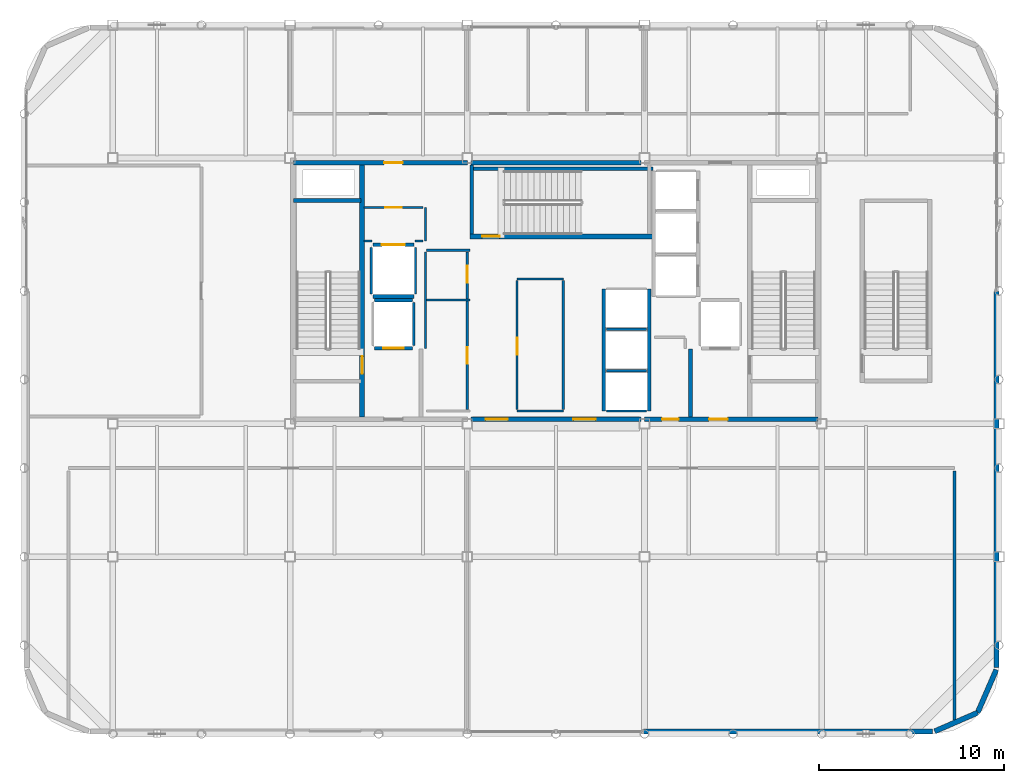
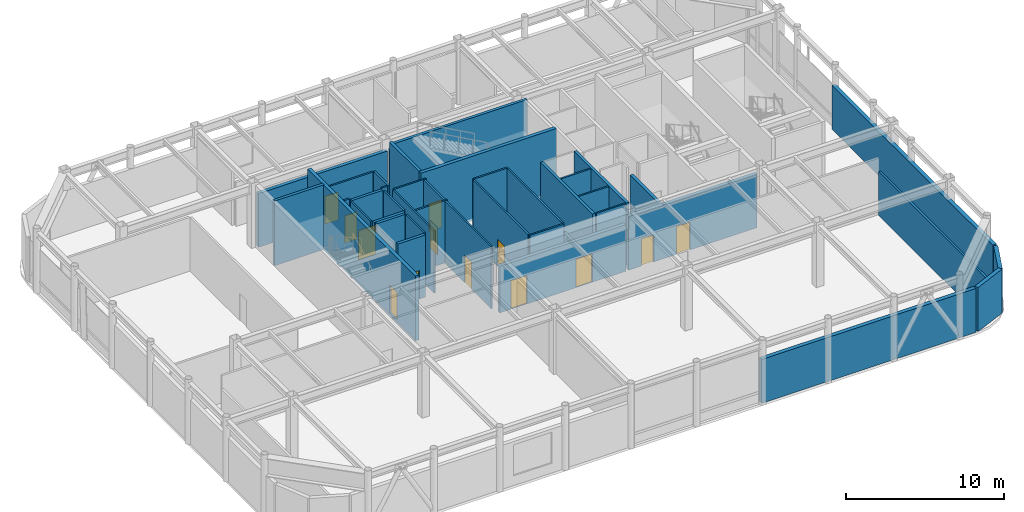
# One storey, part 17 of 21: 39 walls, 13 doors, 13 openings.
"""IFC4 building model written with IfcOpenShell, lengths in metres."""

from ifc_helpers import new_model, si_unit, direction, frame, frame_2d, origin, place, context, subcontext, project, spatial, rectangle, extrude, material, layer, layer_set, type_object, element, fill, save


model = new_model("IFC4")

# Units and contexts
model_context = context("Model", 3, precision=1e-05, world=origin(), true_north=direction((0.0, 1.0)))
body_context = subcontext(model_context, "Body", "Model", "MODEL_VIEW")
ifc_project = project(units=[si_unit("LENGTHUNIT", "METRE"), si_unit("AREAUNIT", "SQUARE_METRE"), si_unit("VOLUMEUNIT", "CUBIC_METRE"), si_unit("PLANEANGLEUNIT", "RADIAN"), si_unit("MASSUNIT", "GRAM", prefix="KILO")], contexts=[model_context])

# Site, building, storey
site_placement = place(None, origin())
site = spatial("IfcSite", under=ifc_project, at=site_placement, CompositionType="ELEMENT")
building_placement = place(site_placement, origin())
building = spatial("IfcBuilding", under=site, at=building_placement, Name="Kallvorn Hotel Tower", CompositionType="ELEMENT")
storey_placement = place(building_placement, frame((0.0, 0.0, 290.60009765625)))
storey = spatial("IfcBuildingStorey", under=building, at=storey_placement, Name="L72", CompositionType="ELEMENT", Elevation=290.60009765625)

# Walls
ifc_material_1 = material(Name="Precast basalt-clad insulated concrete wall C40/50", Category="masonry")
ifc_layer_1 = layer(ifc_material_1, 0.280029296875)
ifc_layer_set_1 = layer_set([ifc_layer_1], Name="WL_EXT_LOGGIA_280")
wall_type_1 = type_object("IfcWallType", Name="WL_EXT_LOGGIA_280", PredefinedType="SOLIDWALL", material=ifc_layer_set_1)
for number, where, z_axis, x_axis, name in (
    (1, (20.520751953125, -23.85791015625, 0.0), (0.0, 0.0, 1.0), (0.917076177656, 0.398712031894, 0.0), "L72 Rounded Corner Exterior Wall SE1"),
    (2, (22.8466796875, -22.8466796875, 0.0), (0.0, 0.0, 1.0), (0.398712031894, 0.917076177656, 0.0), "L72 Rounded Corner Exterior Wall SE2"),
):
    element("IfcWall", number, at=place(storey_placement, frame(where, z_axis=z_axis, x_axis=x_axis)), inside=storey, type_object=wall_type_1, Name=name, PredefinedType="SOLIDWALL", context=body_context, shape_type="SweptSolid", body=[
        extrude(rectangle(XDim=2.5361328125, YDim=0.280029296875, at=frame_2d((1.26806640625, 0.0))), origin(), (0.0, 0.0, 1.0), 3.39990234375),
    ])
wall_1_placement = place(storey_placement, frame((4.75, -23.860107421875, 0.0), z_axis=(0.0, 0.0, 1.0), x_axis=(1.0, 0.0, 0.0)))
element("IfcWall", 3, at=wall_1_placement, inside=storey, type_object=wall_type_1, Name="L72 Exterior Envelope Wall EW-L72-SE", PredefinedType="SOLIDWALL", context=body_context, shape_type="SweptSolid", body=[
    extrude(rectangle(XDim=15.64990234375, YDim=0.280029296875, at=frame_2d((7.824951171875, 0.0))), origin(), (0.0, 0.0, 1.0), 3.39990234375),
])
wall_2_placement = place(storey_placement, frame((23.860107421875, -20.39990234375, 0.0), z_axis=(0.0, 0.0, 1.0), x_axis=(0.0, 1.0, 0.0)))
element("IfcWall", 4, at=wall_2_placement, inside=storey, type_object=wall_type_1, Name="L72 Exterior Envelope Wall EW-L72-ES", PredefinedType="SOLIDWALL", context=body_context, shape_type="SweptSolid", body=[
    extrude(rectangle(XDim=20.3798828125, YDim=0.280029296875, at=frame_2d((10.18994140625, 0.0))), origin(), (0.0, 0.0, 1.0), 3.39990234375),
])
ifc_material_2 = material(Name="Concrete C40/50", Category="concrete")
ifc_layer_2 = layer(ifc_material_2, 0.219970703125)
ifc_layer_set_2 = layer_set([ifc_layer_2], Name="WL_FFL_220")
wall_type_2 = type_object("IfcWallType", Name="WL_FFL_220", PredefinedType="SOLIDWALL", material=ifc_layer_set_2)
wall_3_placement = place(storey_placement, frame((7.300048828125, -6.820068359375, 0.0), z_axis=(0.0, 0.0, 1.0), x_axis=(0.0, 1.0, 0.0)))
element("IfcWall", 5, at=wall_3_placement, inside=storey, type_object=wall_type_2, Name="L72 Firefighting Lobby East Divider Wall", PredefinedType="SOLIDWALL", context=body_context, shape_type="SweptSolid", body=[
    extrude(rectangle(XDim=3.670166015625, YDim=0.219970703125, at=frame_2d((1.8349609375, 0.0))), origin(), (0.0, 0.0, 1.0), 4.14990234375),
])
ifc_material_3 = material(Name="Concrete C40/50", Category="concrete")
ifc_layer_3 = layer(ifc_material_3, 0.199951171875)
ifc_layer_set_3 = layer_set([ifc_layer_3], Name="WL_HOIST_200")
wall_type_3 = type_object("IfcWallType", Name="WL_HOIST_200", PredefinedType="SOLIDWALL", material=ifc_layer_set_3)
wall_4_placement = place(storey_placement, frame((-14.199951171875, 4.89990234375, -0.2001953125), z_axis=(0.0, 0.0, 1.0), x_axis=(1.0, 0.0, 0.0)))
element("IfcWall", 6, at=wall_4_placement, inside=storey, type_object=wall_type_3, Name="L72 Stair ST1 North Wall", PredefinedType="SOLIDWALL", context=body_context, shape_type="SweptSolid", body=[
    extrude(rectangle(XDim=3.64990234375, YDim=0.199951171875, at=frame_2d((1.824951171875, 0.0))), origin(), (0.0, 0.0, 1.0), 5.0),
])
wall_5_placement = place(storey_placement, frame((-4.64990234375, 6.610107421875, -0.2001953125), z_axis=(0.0, 0.0, 1.0), x_axis=(1.0, 0.0, 0.0)))
element("IfcWall", 7, at=wall_5_placement, inside=storey, type_object=wall_type_3, Name="L72 Stair ST3 Shaft North Wall", PredefinedType="SOLIDWALL", context=body_context, shape_type="SweptSolid", body=[
    extrude(rectangle(XDim=9.89990234375, YDim=0.199951171875, at=frame_2d((4.949951171875, 0.0))), origin(), (0.0, 0.0, 1.0), 5.0),
])
wall_6_placement = place(storey_placement, frame((-4.550048828125, 3.080078125, -0.2001953125), z_axis=(0.0, 0.0, 1.0), x_axis=(0.0, 1.0, 0.0)))
element("IfcWall", 8, at=wall_6_placement, inside=storey, type_object=wall_type_3, Name="L72 Stair ST3 West Wall", PredefinedType="SOLIDWALL", context=body_context, shape_type="SweptSolid", body=[
    extrude(rectangle(XDim=3.739990234375, YDim=0.199951171875, at=frame_2d((1.8701171875, 0.0))), origin(), (0.0, 0.0, 1.0), 5.0),
])
for number, where, z_axis, x_axis, name in (
    (9, (2.60009765625, -6.5, 0.0), (0.0, 0.0, 1.0), (0.0, 1.0, 0.0), "L72 Lift Bank B3A Landing Wall"),
    (10, (5.050048828125, -6.5, 0.0), (0.0, 0.0, 1.0), (0.0, 1.0, 0.0), "L72 Lift Bank B3A Rear Shaft Wall"),
):
    element("IfcWall", number, at=place(storey_placement, frame(where, z_axis=z_axis, x_axis=x_axis)), inside=storey, type_object=wall_type_3, Name=name, PredefinedType="SOLIDWALL", context=body_context, shape_type="SweptSolid", body=[
        extrude(rectangle(XDim=6.60009765625, YDim=0.199951171875, at=frame_2d((3.300048828125, 0.0))), origin(), (0.0, 0.0, 1.0), 4.7998046875),
    ])

# Wall, opening, door
wall_7_placement = place(storey_placement, frame((-9.820068359375, -3.10009765625, 0.0), z_axis=(0.0, 0.0, 1.0), x_axis=(1.0, 0.0, 0.0)))
wall_7 = element("IfcWall", 11, at=wall_7_placement, inside=storey, type_object=wall_type_3, Name="L72 FL-1 Landing Wall", PredefinedType="SOLIDWALL", context=body_context, shape_type="SweptSolid", body=[
    extrude(rectangle(XDim=2.0400390625, YDim=0.199951171875, at=frame_2d((1.02001953125, 0.0))), origin(), (0.0, 0.0, 1.0), 4.7998046875),
])
opening_1_placement = place(wall_7_placement, frame((0.469970703125, 0.0, 0.0)))
opening_1 = element("IfcOpeningElement", 12, at=opening_1_placement, cuts=wall_7, Name="Opening LD-FL-1", PredefinedType="OPENING", context=body_context, shape_type="SweptSolid", body=[
    extrude(rectangle(XDim=1.10009765625, YDim=2.199951171875, at=frame_2d((0.550048828125, 1.10009765625))), frame((0.0, 0.114990234375, 0.0), z_axis=(0.0, -1.0, 0.0), x_axis=(1.0, 0.0, 0.0)), (0.0, 0.0, 1.0), 0.22998046875),
])
ifc_material_4 = material(Name="Brushed stainless-steel automatic sliding lift landing door", Category="steel")
door_type_1 = type_object("IfcDoorType", Name="LD_PASS_1100x2200", OperationType="SLIDING_TO_LEFT", PredefinedType="DOOR", material=ifc_material_4)
door_1_placement = place(opening_1_placement, origin())
door_1 = element("IfcDoor", 13, at=door_1_placement, inside=storey, type_object=door_type_1, Name="L72 Lift Landing Sliding Door LD-FL-1", OperationType="SLIDING_TO_LEFT", OverallHeight=2.199951171875, OverallWidth=1.10009765625, PredefinedType="DOOR", context=body_context, shape_type="SweptSolid", body=[
    extrude(rectangle(XDim=1.10009765625, YDim=2.199951171875, at=frame_2d((0.550048828125, 1.10009765625))), frame((0.0, 0.02490234375, 0.0), z_axis=(0.0, -1.0, 0.0), x_axis=(1.0, 0.0, 0.0)), (0.0, 0.0, 1.0), 0.050048828125),
])
fill(opening_1, door_1)

# Wall
wall_8_placement = place(storey_placement, frame((-9.820068359375, -0.5, 0.0), z_axis=(0.0, 0.0, 1.0), x_axis=(1.0, 0.0, 0.0)))
element("IfcWall", 14, at=wall_8_placement, inside=storey, type_object=wall_type_3, Name="L72 FL-1 Rear Shaft Wall", PredefinedType="SOLIDWALL", context=body_context, shape_type="SweptSolid", body=[
    extrude(rectangle(XDim=2.0400390625, YDim=0.199951171875, at=frame_2d((1.02001953125, 0.0))), origin(), (0.0, 0.0, 1.0), 4.7998046875),
])

# Wall, opening, door
wall_9_placement = place(storey_placement, frame((-9.919921875, 2.5, 0.0), z_axis=(0.0, 0.0, 1.0), x_axis=(1.0, 0.0, 0.0)))
wall_9 = element("IfcWall", 15, at=wall_9_placement, inside=storey, type_object=wall_type_3, Name="L72 SV-01 Landing Wall", PredefinedType="SOLIDWALL", context=body_context, shape_type="SweptSolid", body=[
    extrude(rectangle(XDim=2.239990234375, YDim=0.199951171875, at=frame_2d((1.1201171875, 0.0))), origin(), (0.0, 0.0, 1.0), 4.7998046875),
])
opening_2_placement = place(wall_9_placement, frame((0.4951171875, 0.0, 0.0)))
opening_2 = element("IfcOpeningElement", 16, at=opening_2_placement, cuts=wall_9, Name="Opening LD-SV-01", PredefinedType="OPENING", context=body_context, shape_type="SweptSolid", body=[
    extrude(rectangle(XDim=1.25, YDim=2.25, at=frame_2d((0.625, 1.125))), frame((0.0, 0.114990234375, 0.0), z_axis=(0.0, -1.0, 0.0), x_axis=(1.0, 0.0, 0.0)), (0.0, 0.0, 1.0), 0.22998046875),
])
ifc_material_5 = material(Name="Brushed stainless-steel automatic sliding lift landing door", Category="steel")
door_type_2 = type_object("IfcDoorType", Name="LD_SERV_1250x2250", OperationType="SLIDING_TO_LEFT", PredefinedType="DOOR", material=ifc_material_5)
door_2_placement = place(opening_2_placement, origin())
door_2 = element("IfcDoor", 17, at=door_2_placement, inside=storey, type_object=door_type_2, Name="L72 Lift Landing Sliding Door LD-SV-01", OperationType="SLIDING_TO_LEFT", OverallHeight=2.25, OverallWidth=1.25, PredefinedType="DOOR", context=body_context, shape_type="SweptSolid", body=[
    extrude(rectangle(XDim=1.25, YDim=2.25, at=frame_2d((0.625, 1.125))), frame((0.0, 0.02490234375, 0.0), z_axis=(0.0, -1.0, 0.0), x_axis=(1.0, 0.0, 0.0)), (0.0, 0.0, 1.0), 0.050048828125),
])
fill(opening_2, door_2)

# Walls
wall_10_placement = place(storey_placement, frame((-9.919921875, -0.300048828125, 0.0), z_axis=(0.0, 0.0, 1.0), x_axis=(1.0, 0.0, 0.0)))
element("IfcWall", 18, at=wall_10_placement, inside=storey, type_object=wall_type_3, Name="L72 SV-01 Rear Shaft Wall", PredefinedType="SOLIDWALL", context=body_context, shape_type="SweptSolid", body=[
    extrude(rectangle(XDim=2.239990234375, YDim=0.199951171875, at=frame_2d((1.1201171875, 0.0))), origin(), (0.0, 0.0, 1.0), 4.7998046875),
])
ifc_material_6 = material(Name="Fire-rated double-layer acoustic gypsum drywall EI 60")
ifc_layer_4 = layer(ifc_material_6, 0.1201171875)
ifc_layer_set_4 = layer_set([ifc_layer_4], Name="WL_INT_120")
wall_type_4 = type_object("IfcWallType", Name="WL_INT_120", PredefinedType="PARTITIONING", material=ifc_layer_set_4)
for number, where, z_axis, x_axis, name in (
    (19, (2.739990234375, -6.5, 0.0), (0.0, 0.0, 1.0), (1.0, 0.0, 0.0), "L72 Lift Bank B3A South Closure Wall"),
    (20, (2.739990234375, -4.324951171875, 0.0), (0.0, 0.0, 1.0), (1.0, 0.0, 0.0), "L72 PL-09 Hoistway Divider"),
    (21, (2.739990234375, -2.074951171875, 0.0), (0.0, 0.0, 1.0), (1.0, 0.0, 0.0), "L72 PL-10 Hoistway Divider"),
):
    element("IfcWall", number, at=place(storey_placement, frame(where, z_axis=z_axis, x_axis=x_axis)), inside=storey, type_object=wall_type_4, Name=name, PredefinedType="PARTITIONING", context=body_context, shape_type="SweptSolid", body=[
        extrude(rectangle(XDim=2.169921875, YDim=0.1201171875, at=frame_2d((1.0849609375, 0.0))), origin(), (0.0, 0.0, 1.0), 4.7998046875),
    ])
wall_11_placement = place(storey_placement, frame((-7.699951171875, -2.9599609375, 0.0), z_axis=(0.0, 0.0, 1.0), x_axis=(0.0, 1.0, 0.0)))
element("IfcWall", 22, at=wall_11_placement, inside=storey, type_object=wall_type_4, Name="L72 FL-1 East Shaft Wall", PredefinedType="PARTITIONING", context=body_context, shape_type="SweptSolid", body=[
    extrude(rectangle(XDim=2.320068359375, YDim=0.1201171875, at=frame_2d((1.16015625, 0.0))), origin(), (0.0, 0.0, 1.0), 4.7998046875),
])
for number, where, z_axis, x_axis, name in (
    (23, (-10.0, -0.159912109375, 0.0), (0.0, 0.0, 1.0), (0.0, 1.0, 0.0), "L72 SV-01 West Shaft Wall"),
    (24, (-7.60009765625, -0.159912109375, 0.0), (0.0, 0.0, 1.0), (0.0, 1.0, 0.0), "L72 SV-01 East Shaft Wall"),
):
    element("IfcWall", number, at=place(storey_placement, frame(where, z_axis=z_axis, x_axis=x_axis)), inside=storey, type_object=wall_type_4, Name=name, PredefinedType="PARTITIONING", context=body_context, shape_type="SweptSolid", body=[
        extrude(rectangle(XDim=2.52001953125, YDim=0.1201171875, at=frame_2d((1.260009765625, 0.0))), origin(), (0.0, 0.0, 1.0), 4.7998046875),
    ])
wall_12_placement = place(storey_placement, frame((-2.10009765625, -6.5, 0.0), z_axis=(0.0, 0.0, 1.0), x_axis=(1.0, 0.0, 0.0)))
element("IfcWall", 25, at=wall_12_placement, inside=storey, type_object=wall_type_4, Name="L72 High-Zone IT and Tableware Reserve Room Partition", PredefinedType="PARTITIONING", context=body_context, shape_type="SweptSolid", body=[
    extrude(rectangle(XDim=2.5, YDim=0.1201171875, at=frame_2d((1.25, 0.0))), origin(), (0.0, 0.0, 1.0), 4.7998046875),
])
wall_13_placement = place(storey_placement, frame((-7.0, -0.5, 0.0), z_axis=(0.0, 0.0, 1.0), x_axis=(1.0, 0.0, 0.0)))
element("IfcWall", 26, at=wall_13_placement, inside=storey, type_object=wall_type_4, Name="L72 Recaptured Full-Depth Sommelier Store Partition", PredefinedType="PARTITIONING", context=body_context, shape_type="SweptSolid", body=[
    extrude(rectangle(XDim=2.35009765625, YDim=0.1201171875, at=frame_2d((1.175048828125, 0.0))), origin(), (0.0, 0.0, 1.0), 4.7998046875),
])
wall_14_placement = place(storey_placement, frame((-2.10009765625, 0.64990234375, 0.0), z_axis=(0.0, 0.0, 1.0), x_axis=(1.0, 0.0, 0.0)))
element("IfcWall", 27, at=wall_14_placement, inside=storey, type_object=wall_type_4, Name="L72 High-Zone IT and Tableware Reserve Room Partition", PredefinedType="PARTITIONING", context=body_context, shape_type="SweptSolid", body=[
    extrude(rectangle(XDim=2.5, YDim=0.1201171875, at=frame_2d((1.25, 0.0))), origin(), (0.0, 0.0, 1.0), 4.7998046875),
])
wall_15_placement = place(storey_placement, frame((-7.0, 2.199951171875, 0.0), z_axis=(0.0, 0.0, 1.0), x_axis=(1.0, 0.0, 0.0)))
element("IfcWall", 28, at=wall_15_placement, inside=storey, type_object=wall_type_4, Name="L72 Recaptured Housekeeping Prep Room Partition", PredefinedType="PARTITIONING", context=body_context, shape_type="SweptSolid", body=[
    extrude(rectangle(XDim=2.35009765625, YDim=0.1201171875, at=frame_2d((1.175048828125, 0.0))), origin(), (0.0, 0.0, 1.0), 4.7998046875),
])
for number, where, z_axis, x_axis, name in (
    (29, (-10.39990234375, 2.699951171875, 0.0), (0.0, 0.0, 1.0), (1.0, 0.0, 0.0), "L72 Core Telecom and Metering Store Partition"),
    (30, (-7.639892578125, 2.699951171875, 0.0), (0.0, 0.0, 1.0), (1.0, 0.0, 0.0), "L72 Core Telecom and Metering Store Partition"),
):
    element("IfcWall", number, at=place(storey_placement, frame(where, z_axis=z_axis, x_axis=x_axis)), inside=storey, type_object=wall_type_4, Name=name, PredefinedType="PARTITIONING", context=body_context, shape_type="SweptSolid", body=[
        extrude(rectangle(XDim=0.43994140625, YDim=0.1201171875, at=frame_2d((0.219970703125, 0.0))), origin(), (0.0, 0.0, 1.0), 4.7998046875),
    ])

# Wall, opening, door
wall_16_placement = place(storey_placement, frame((-10.39990234375, 4.52001953125, 0.0), z_axis=(0.0, 0.0, 1.0), x_axis=(1.0, 0.0, 0.0)))
wall_16 = element("IfcWall", 31, at=wall_16_placement, inside=storey, type_object=wall_type_4, Name="L72 Core Telecom and Metering Store Partition", PredefinedType="PARTITIONING", context=body_context, shape_type="SweptSolid", body=[
    extrude(rectangle(XDim=3.199951171875, YDim=0.1201171875, at=frame_2d((1.60009765625, 0.0))), origin(), (0.0, 0.0, 1.0), 4.7998046875),
])
opening_3_placement = place(wall_16_placement, frame((1.14990234375, 0.0, 0.0)))
opening_3 = element("IfcOpeningElement", 32, at=opening_3_placement, cuts=wall_16, Name="Opening SVD1", PredefinedType="OPENING", context=body_context, shape_type="SweptSolid", body=[
    extrude(rectangle(XDim=0.89990234375, YDim=2.10009765625, at=frame_2d((0.449951171875, 1.050048828125))), frame((0.0, 0.074951171875, 0.0), z_axis=(0.0, -1.0, 0.0), x_axis=(1.0, 0.0, 0.0)), (0.0, 0.0, 1.0), 0.150146484375),
])
ifc_material_7 = material(Name="Galvanised painted steel fire-rated door assembly", Category="steel")
door_type_3 = type_object("IfcDoorType", Name="DR_SERV_900x2100", OperationType="NOTDEFINED", PredefinedType="DOOR", material=ifc_material_7)
door_3_placement = place(opening_3_placement, origin())
door_3 = element("IfcDoor", 33, at=door_3_placement, inside=storey, type_object=door_type_3, Name="L72 Core Telecom and Metering Store Door", OperationType="SINGLE_SWING_LEFT", OverallHeight=2.10009765625, OverallWidth=0.89990234375, PredefinedType="DOOR", context=body_context, shape_type="SweptSolid", body=[
    extrude(rectangle(XDim=0.89990234375, YDim=2.10009765625, at=frame_2d((0.449951171875, 1.050048828125))), frame((0.0, 0.02490234375, 0.0), z_axis=(0.0, -1.0, 0.0), x_axis=(1.0, 0.0, 0.0)), (0.0, 0.0, 1.0), 0.050048828125),
])
fill(opening_3, door_3)

# Walls
wall_17_placement = place(storey_placement, frame((-7.066650390625, -3.110107421875, 0.0), z_axis=(0.0, 0.0, 1.0), x_axis=(0.0, 1.0, 0.0)))
element("IfcWall", 34, at=wall_17_placement, inside=storey, type_object=wall_type_4, Name="L72 Recaptured Full-Depth Sommelier Store Partition", PredefinedType="PARTITIONING", context=body_context, shape_type="SweptSolid", body=[
    extrude(rectangle(XDim=5.22509765625, YDim=0.1201171875, at=frame_2d((2.612548828125, 0.0))), origin(), (0.0, 0.0, 1.0), 4.7998046875),
])
wall_18_placement = place(storey_placement, frame((-7.066650390625, 2.699951171875, 0.0), z_axis=(0.0, 0.0, 1.0), x_axis=(0.0, 1.0, 0.0)))
element("IfcWall", 35, at=wall_18_placement, inside=storey, type_object=wall_type_4, Name="L72 Core Telecom and Metering Store Partition", PredefinedType="PARTITIONING", context=body_context, shape_type="SweptSolid", body=[
    extrude(rectangle(XDim=1.820068359375, YDim=0.1201171875, at=frame_2d((0.91015625, 0.0))), origin(), (0.0, 0.0, 1.0), 4.7998046875),
])

# Wall, openings, doors
wall_19_placement = place(storey_placement, frame((-4.800048828125, -6.4150390625, 0.0), z_axis=(0.0, 0.0, 1.0), x_axis=(0.0, 1.0, 0.0)))
wall_19 = element("IfcWall", 36, at=wall_19_placement, inside=storey, type_object=wall_type_4, Name="L72 Recaptured Full-Depth Sommelier Store Partition", PredefinedType="PARTITIONING", context=body_context, shape_type="SweptSolid", body=[
    extrude(rectangle(XDim=8.530029296875, YDim=0.1201171875, at=frame_2d((4.26513671875, 0.0))), origin(), (0.0, 0.0, 1.0), 4.7998046875),
])
opening_4_placement = place(wall_19_placement, frame((2.465087890625, 0.0, 0.0)))
opening_4 = element("IfcOpeningElement", 37, at=opening_4_placement, cuts=wall_19, Name="Opening SVD1", PredefinedType="OPENING", context=body_context, shape_type="SweptSolid", body=[
    extrude(rectangle(XDim=0.89990234375, YDim=2.10009765625, at=frame_2d((0.449951171875, 1.050048828125))), frame((0.0, 0.074951171875, 0.0), z_axis=(0.0, -1.0, 0.0), x_axis=(1.0, 0.0, 0.0)), (0.0, 0.0, 1.0), 0.150146484375),
])
opening_5_placement = place(wall_19_placement, frame((6.864990234375, 0.0, 0.0)))
opening_5 = element("IfcOpeningElement", 38, at=opening_5_placement, cuts=wall_19, Name="Opening SVD1", PredefinedType="OPENING", context=body_context, shape_type="SweptSolid", body=[
    extrude(rectangle(XDim=0.89990234375, YDim=2.10009765625, at=frame_2d((0.449951171875, 1.050048828125))), frame((0.0, 0.074951171875, 0.0), z_axis=(0.0, -1.0, 0.0), x_axis=(1.0, 0.0, 0.0)), (0.0, 0.0, 1.0), 0.150146484375),
])
door_4_placement = place(opening_4_placement, origin())
door_4 = element("IfcDoor", 39, at=door_4_placement, inside=storey, type_object=door_type_3, Name="L72 Recaptured Full-Depth Sommelier Store Door", OperationType="SINGLE_SWING_LEFT", OverallHeight=2.10009765625, OverallWidth=0.89990234375, PredefinedType="DOOR", context=body_context, shape_type="SweptSolid", body=[
    extrude(rectangle(XDim=0.89990234375, YDim=2.10009765625, at=frame_2d((0.449951171875, 1.050048828125))), frame((0.0, 0.02490234375, 0.0), z_axis=(0.0, -1.0, 0.0), x_axis=(1.0, 0.0, 0.0)), (0.0, 0.0, 1.0), 0.050048828125),
])
fill(opening_4, door_4)
door_5_placement = place(opening_5_placement, origin())
door_5 = element("IfcDoor", 40, at=door_5_placement, inside=storey, type_object=door_type_3, Name="L72 Recaptured Housekeeping Prep Room Door", OperationType="SINGLE_SWING_LEFT", OverallHeight=2.10009765625, OverallWidth=0.89990234375, PredefinedType="DOOR", context=body_context, shape_type="SweptSolid", body=[
    extrude(rectangle(XDim=0.89990234375, YDim=2.10009765625, at=frame_2d((0.449951171875, 1.050048828125))), frame((0.0, 0.02490234375, 0.0), z_axis=(0.0, -1.0, 0.0), x_axis=(1.0, 0.0, 0.0)), (0.0, 0.0, 1.0), 0.050048828125),
])
fill(opening_5, door_5)

# Wall, opening, door
wall_20_placement = place(storey_placement, frame((-2.10009765625, -6.4150390625, 0.0), z_axis=(0.0, 0.0, 1.0), x_axis=(0.0, 1.0, 0.0)))
wall_20 = element("IfcWall", 41, at=wall_20_placement, inside=storey, type_object=wall_type_4, Name="L72 High-Zone IT and Tableware Reserve Room Partition", PredefinedType="PARTITIONING", context=body_context, shape_type="SweptSolid", body=[
    extrude(rectangle(XDim=6.97998046875, YDim=0.1201171875, at=frame_2d((3.489990234375, 0.0))), origin(), (0.0, 0.0, 1.0), 4.7998046875),
])
opening_6_placement = place(wall_20_placement, frame((2.965087890625, 0.0, 0.0)))
opening_6 = element("IfcOpeningElement", 42, at=opening_6_placement, cuts=wall_20, Name="Opening SVD1", PredefinedType="OPENING", context=body_context, shape_type="SweptSolid", body=[
    extrude(rectangle(XDim=0.89990234375, YDim=2.10009765625, at=frame_2d((0.449951171875, 1.050048828125))), frame((0.0, 0.074951171875, 0.0), z_axis=(0.0, -1.0, 0.0), x_axis=(1.0, 0.0, 0.0)), (0.0, 0.0, 1.0), 0.150146484375),
])
door_6_placement = place(opening_6_placement, origin())
door_6 = element("IfcDoor", 43, at=door_6_placement, inside=storey, type_object=door_type_3, Name="L72 High-Zone IT and Tableware Reserve Room Door", OperationType="SINGLE_SWING_RIGHT", OverallHeight=2.10009765625, OverallWidth=0.89990234375, PredefinedType="DOOR", context=body_context, shape_type="SweptSolid", body=[
    extrude(rectangle(XDim=0.89990234375, YDim=2.10009765625, at=frame_2d((0.449951171875, 1.050048828125))), frame((0.0, 0.02490234375, 0.0), z_axis=(0.0, -1.0, 0.0), x_axis=(1.0, 0.0, 0.0)), (0.0, 0.0, 1.0), 0.050048828125),
])
fill(opening_6, door_6)

# Walls
wall_21_placement = place(storey_placement, frame((0.39990234375, -6.4150390625, 0.0), z_axis=(0.0, 0.0, 1.0), x_axis=(0.0, 1.0, 0.0)))
element("IfcWall", 44, at=wall_21_placement, inside=storey, type_object=wall_type_4, Name="L72 High-Zone IT and Tableware Reserve Room Partition", PredefinedType="PARTITIONING", context=body_context, shape_type="SweptSolid", body=[
    extrude(rectangle(XDim=6.97998046875, YDim=0.1201171875, at=frame_2d((3.489990234375, 0.0))), origin(), (0.0, 0.0, 1.0), 4.7998046875),
])
ifc_material_8 = material(Name="Fire-rated double-layer acoustic gypsum drywall EI 60")
ifc_layer_5 = layer(ifc_material_8, 0.14990234375)
ifc_layer_set_5 = layer_set([ifc_layer_5], Name="WL_PART_150")
wall_type_5 = type_object("IfcWallType", Name="WL_PART_150", PredefinedType="PARTITIONING", material=ifc_layer_set_5)
wall_22_placement = place(storey_placement, frame((21.60009765625, -23.238525390625, 0.0), z_axis=(0.0, 0.0, 1.0), x_axis=(0.0, 1.0, 0.0)))
element("IfcWall", 45, at=wall_22_placement, inside=storey, type_object=wall_type_5, Name="L72 Private Chef Tasting Dining Room Partition", PredefinedType="PARTITIONING", context=body_context, shape_type="SweptSolid", body=[
    extrude(rectangle(XDim=13.488525390625, YDim=0.14990234375, at=frame_2d((6.744140625, 0.0))), origin(), (0.0, 0.0, 1.0), 3.39990234375),
])

# Wall, openings, doors
ifc_material_9 = material(Name="Concrete C40/50", Category="concrete")
ifc_layer_6 = layer(ifc_material_9, 0.25)
ifc_layer_set_6 = layer_set([ifc_layer_6], Name="WL_SHAFT_250")
wall_type_6 = type_object("IfcWallType", Name="WL_SHAFT_250", PredefinedType="SOLIDWALL", material=ifc_layer_set_6)
wall_23_placement = place(storey_placement, frame((-4.60009765625, -6.949951171875, 0.0), z_axis=(0.0, 0.0, 1.0), x_axis=(1.0, 0.0, 0.0)))
wall_23 = element("IfcWall", 46, at=wall_23_placement, inside=storey, type_object=wall_type_6, Name="L72 Core South-Central Wall", PredefinedType="SOLIDWALL", context=body_context, shape_type="SweptSolid", body=[
    extrude(rectangle(XDim=9.2001953125, YDim=0.25, at=frame_2d((4.60009765625, 0.0))), origin(), (0.0, 0.0, 1.0), 3.599853515625),
])
opening_7_placement = place(wall_23_placement, frame((0.800048828125, 0.0, 0.0)))
opening_7 = element("IfcOpeningElement", 47, at=opening_7_placement, cuts=wall_23, Name="Opening FD2", PredefinedType="OPENING", context=body_context, shape_type="SweptSolid", body=[
    extrude(rectangle(XDim=1.199951171875, YDim=2.199951171875, at=frame_2d((0.60009765625, 1.10009765625))), frame((0.0, 0.139892578125, 0.0), z_axis=(0.0, -1.0, 0.0), x_axis=(1.0, 0.0, 0.0)), (0.0, 0.0, 1.0), 0.280029296875),
])
opening_8_placement = place(wall_23_placement, frame((5.550048828125, 0.0, 0.0)))
opening_8 = element("IfcOpeningElement", 48, at=opening_8_placement, cuts=wall_23, Name="Opening FD2", PredefinedType="OPENING", context=body_context, shape_type="SweptSolid", body=[
    extrude(rectangle(XDim=1.199951171875, YDim=2.199951171875, at=frame_2d((0.60009765625, 1.10009765625))), frame((0.0, 0.139892578125, 0.0), z_axis=(0.0, -1.0, 0.0), x_axis=(1.0, 0.0, 0.0)), (0.0, 0.0, 1.0), 0.280029296875),
])
ifc_material_10 = material(Name="Galvanised painted steel fire-rated door assembly", Category="steel")
door_type_4 = type_object("IfcDoorType", Name="DR_LOBBY_1200x2200", OperationType="DOUBLE_DOOR_SINGLE_SWING", PredefinedType="DOOR", material=ifc_material_10)
door_7_placement = place(opening_7_placement, origin())
door_7 = element("IfcDoor", 49, at=door_7_placement, inside=storey, type_object=door_type_4, Name="L72 West Passenger Lift Lobby Door", OperationType="DOUBLE_DOOR_SINGLE_SWING", OverallHeight=2.199951171875, OverallWidth=1.199951171875, PredefinedType="DOOR", context=body_context, shape_type="SweptSolid", body=[
    extrude(rectangle(XDim=1.199951171875, YDim=2.199951171875, at=frame_2d((0.60009765625, 1.10009765625))), frame((0.0, 0.02490234375, 0.0), z_axis=(0.0, -1.0, 0.0), x_axis=(1.0, 0.0, 0.0)), (0.0, 0.0, 1.0), 0.050048828125),
])
fill(opening_7, door_7)
door_8_placement = place(opening_8_placement, origin())
door_8 = element("IfcDoor", 50, at=door_8_placement, inside=storey, type_object=door_type_4, Name="L72 East Passenger Lift Lobby Door", OperationType="DOUBLE_DOOR_SINGLE_SWING", OverallHeight=2.199951171875, OverallWidth=1.199951171875, PredefinedType="DOOR", context=body_context, shape_type="SweptSolid", body=[
    extrude(rectangle(XDim=1.199951171875, YDim=2.199951171875, at=frame_2d((0.60009765625, 1.10009765625))), frame((0.0, 0.02490234375, 0.0), z_axis=(0.0, -1.0, 0.0), x_axis=(1.0, 0.0, 0.0)), (0.0, 0.0, 1.0), 0.050048828125),
])
fill(opening_8, door_8)

wall_24_placement = place(storey_placement, frame((4.800048828125, -6.949951171875, 0.0), z_axis=(0.0, 0.0, 1.0), x_axis=(1.0, 0.0, 0.0)))
wall_24 = element("IfcWall", 51, at=wall_24_placement, inside=storey, type_object=wall_type_6, Name="L72 Core South-East Wall", PredefinedType="SOLIDWALL", context=body_context, shape_type="SweptSolid", body=[
    extrude(rectangle(XDim=9.39990234375, YDim=0.25, at=frame_2d((4.699951171875, 0.0))), origin(), (0.0, 0.0, 1.0), 4.14990234375),
])
opening_9_placement = place(wall_24_placement, frame((3.5, 0.0, 0.0)))
opening_9 = element("IfcOpeningElement", 52, at=opening_9_placement, cuts=wall_24, Name="Opening FD1", PredefinedType="OPENING", context=body_context, shape_type="SweptSolid", body=[
    extrude(rectangle(XDim=1.0, YDim=2.14990234375, at=frame_2d((0.5, 1.074951171875))), frame((0.0, 0.139892578125, 0.0), z_axis=(0.0, -1.0, 0.0), x_axis=(1.0, 0.0, 0.0)), (0.0, 0.0, 1.0), 0.280029296875),
])
opening_10_placement = place(wall_24_placement, frame((0.949951171875, 0.0, 0.0)))
opening_10 = element("IfcOpeningElement", 53, at=opening_10_placement, cuts=wall_24, Name="Opening SVD1", PredefinedType="OPENING", context=body_context, shape_type="SweptSolid", body=[
    extrude(rectangle(XDim=0.89990234375, YDim=2.10009765625, at=frame_2d((0.449951171875, 1.050048828125))), frame((0.0, 0.139892578125, 0.0), z_axis=(0.0, -1.0, 0.0), x_axis=(1.0, 0.0, 0.0)), (0.0, 0.0, 1.0), 0.280029296875),
])
ifc_material_11 = material(Name="Galvanised painted steel fire-rated door assembly", Category="steel")
door_type_5 = type_object("IfcDoorType", Name="DR_FFL_1000x2150", OperationType="NOTDEFINED", PredefinedType="DOOR", material=ifc_material_11)
door_9_placement = place(opening_9_placement, origin())
door_9 = element("IfcDoor", 54, at=door_9_placement, inside=storey, type_object=door_type_5, Name="L72 Firefighting Lobby East Door", OperationType="SINGLE_SWING_LEFT", OverallHeight=2.14990234375, OverallWidth=1.0, PredefinedType="DOOR", context=body_context, shape_type="SweptSolid", body=[
    extrude(rectangle(XDim=1.0, YDim=2.14990234375, at=frame_2d((0.5, 1.074951171875))), frame((0.0, 0.02490234375, 0.0), z_axis=(0.0, -1.0, 0.0), x_axis=(1.0, 0.0, 0.0)), (0.0, 0.0, 1.0), 0.050048828125),
])
fill(opening_9, door_9)
door_10_placement = place(opening_10_placement, origin())
door_10 = element("IfcDoor", 55, at=door_10_placement, inside=storey, type_object=door_type_3, Name="L72 Core Accessible Staff WC Door", OperationType="SINGLE_SWING_RIGHT", OverallHeight=2.10009765625, OverallWidth=0.89990234375, PredefinedType="DOOR", context=body_context, shape_type="SweptSolid", body=[
    extrude(rectangle(XDim=0.89990234375, YDim=2.10009765625, at=frame_2d((0.449951171875, 1.050048828125))), frame((0.0, 0.02490234375, 0.0), z_axis=(0.0, -1.0, 0.0), x_axis=(1.0, 0.0, 0.0)), (0.0, 0.0, 1.0), 0.050048828125),
])
fill(opening_10, door_10)

# Wall, opening, door
wall_25_placement = place(storey_placement, frame((-14.199951171875, 6.949951171875, 0.0), z_axis=(0.0, 0.0, 1.0), x_axis=(1.0, 0.0, 0.0)))
wall_25 = element("IfcWall", 56, at=wall_25_placement, inside=storey, type_object=wall_type_6, Name="L72 Core North-West Wall", PredefinedType="SOLIDWALL", context=body_context, shape_type="SweptSolid", body=[
    extrude(rectangle(XDim=9.39990234375, YDim=0.25, at=frame_2d((4.699951171875, 0.0))), origin(), (0.0, 0.0, 1.0), 4.14990234375),
])
opening_11_placement = place(wall_25_placement, frame((4.89990234375, 0.0, 0.0)))
opening_11 = element("IfcOpeningElement", 57, at=opening_11_placement, cuts=wall_25, Name="Opening FD1", PredefinedType="OPENING", context=body_context, shape_type="SweptSolid", body=[
    extrude(rectangle(XDim=1.0, YDim=2.14990234375, at=frame_2d((0.5, 1.074951171875))), frame((0.0, 0.139892578125, 0.0), z_axis=(0.0, -1.0, 0.0), x_axis=(1.0, 0.0, 0.0)), (0.0, 0.0, 1.0), 0.280029296875),
])
door_11_placement = place(opening_11_placement, origin())
door_11 = element("IfcDoor", 58, at=door_11_placement, inside=storey, type_object=door_type_5, Name="L72 Service Lift Lobby Door", OperationType="SINGLE_SWING_RIGHT", OverallHeight=2.14990234375, OverallWidth=1.0, PredefinedType="DOOR", context=body_context, shape_type="SweptSolid", body=[
    extrude(rectangle(XDim=1.0, YDim=2.14990234375, at=frame_2d((0.5, 1.074951171875))), frame((0.0, 0.02490234375, 0.0), z_axis=(0.0, -1.0, 0.0), x_axis=(1.0, 0.0, 0.0)), (0.0, 0.0, 1.0), 0.050048828125),
])
fill(opening_11, door_11)

# Wall
wall_26_placement = place(storey_placement, frame((-4.60009765625, 6.949951171875, 0.0), z_axis=(0.0, 0.0, 1.0), x_axis=(1.0, 0.0, 0.0)))
element("IfcWall", 59, at=wall_26_placement, inside=storey, type_object=wall_type_6, Name="L72 Core North-Central Wall", PredefinedType="SOLIDWALL", context=body_context, shape_type="SweptSolid", body=[
    extrude(rectangle(XDim=9.2001953125, YDim=0.25, at=frame_2d((4.60009765625, 0.0))), origin(), (0.0, 0.0, 1.0), 4.14990234375),
])

# Wall, opening, door
wall_27_placement = place(storey_placement, frame((-10.5, -6.820068359375, -0.2001953125), z_axis=(0.0, 0.0, 1.0), x_axis=(0.0, 1.0, 0.0)))
wall_27 = element("IfcWall", 60, at=wall_27_placement, inside=storey, type_object=wall_type_6, Name="L72 Stair ST1 Shaft Wall", PredefinedType="SOLIDWALL", context=body_context, shape_type="SweptSolid", body=[
    extrude(rectangle(XDim=13.64013671875, YDim=0.25, at=frame_2d((6.820068359375, 0.0))), origin(), (0.0, 0.0, 1.0), 5.0),
])
opening_12_placement = place(wall_27_placement, frame((2.320068359375, 0.0, 0.199951171875)))
opening_12 = element("IfcOpeningElement", 61, at=opening_12_placement, cuts=wall_27, Name="Opening SD1", PredefinedType="OPENING", context=body_context, shape_type="SweptSolid", body=[
    extrude(rectangle(XDim=0.949951171875, YDim=2.14990234375, at=frame_2d((0.47509765625, 1.074951171875))), frame((0.0, 0.139892578125, 0.0), z_axis=(0.0, -1.0, 0.0), x_axis=(1.0, 0.0, 0.0)), (0.0, 0.0, 1.0), 0.280029296875),
])
ifc_material_12 = material(Name="Galvanised painted steel fire-rated door assembly", Category="steel")
door_type_6 = type_object("IfcDoorType", Name="DR_STAIR_950x2150", OperationType="NOTDEFINED", PredefinedType="DOOR", material=ifc_material_12)
door_12_placement = place(opening_12_placement, origin())
door_12 = element("IfcDoor", 62, at=door_12_placement, inside=storey, type_object=door_type_6, Name="L72 Exit Stair ST1 Fire Door", OperationType="SINGLE_SWING_LEFT", OverallHeight=2.14990234375, OverallWidth=0.949951171875, PredefinedType="DOOR", context=body_context, shape_type="SweptSolid", body=[
    extrude(rectangle(XDim=0.949951171875, YDim=2.14990234375, at=frame_2d((0.47509765625, 1.074951171875))), frame((0.0, 0.02490234375, 0.0), z_axis=(0.0, -1.0, 0.0), x_axis=(1.0, 0.0, 0.0)), (0.0, 0.0, 1.0), 0.050048828125),
])
fill(opening_12, door_12)

wall_28_placement = place(storey_placement, frame((-4.64990234375, 2.949951171875, -0.2001953125), z_axis=(0.0, 0.0, 1.0), x_axis=(1.0, 0.0, 0.0)))
wall_28 = element("IfcWall", 63, at=wall_28_placement, inside=storey, type_object=wall_type_6, Name="L72 Stair ST3 Shaft South Wall", PredefinedType="SOLIDWALL", context=body_context, shape_type="SweptSolid", body=[
    extrude(rectangle(XDim=9.89990234375, YDim=0.25, at=frame_2d((4.949951171875, 0.0))), origin(), (0.0, 0.0, 1.0), 5.0),
])
opening_13_placement = place(wall_28_placement, frame((0.64990234375, 0.0, 0.199951171875)))
opening_13 = element("IfcOpeningElement", 64, at=opening_13_placement, cuts=wall_28, Name="Opening SD1", PredefinedType="OPENING", context=body_context, shape_type="SweptSolid", body=[
    extrude(rectangle(XDim=0.949951171875, YDim=2.14990234375, at=frame_2d((0.47509765625, 1.074951171875))), frame((0.0, 0.139892578125, 0.0), z_axis=(0.0, -1.0, 0.0), x_axis=(1.0, 0.0, 0.0)), (0.0, 0.0, 1.0), 0.280029296875),
])
door_13_placement = place(opening_13_placement, origin())
door_13 = element("IfcDoor", 65, at=door_13_placement, inside=storey, type_object=door_type_6, Name="L72 Exit Stair ST3 Fire Door", OperationType="SINGLE_SWING_RIGHT", OverallHeight=2.14990234375, OverallWidth=0.949951171875, PredefinedType="DOOR", context=body_context, shape_type="SweptSolid", body=[
    extrude(rectangle(XDim=0.949951171875, YDim=2.14990234375, at=frame_2d((0.47509765625, 1.074951171875))), frame((0.0, 0.02490234375, 0.0), z_axis=(0.0, -1.0, 0.0), x_axis=(1.0, 0.0, 0.0)), (0.0, 0.0, 1.0), 0.050048828125),
])
fill(opening_13, door_13)

save(model, "model.ifc")
